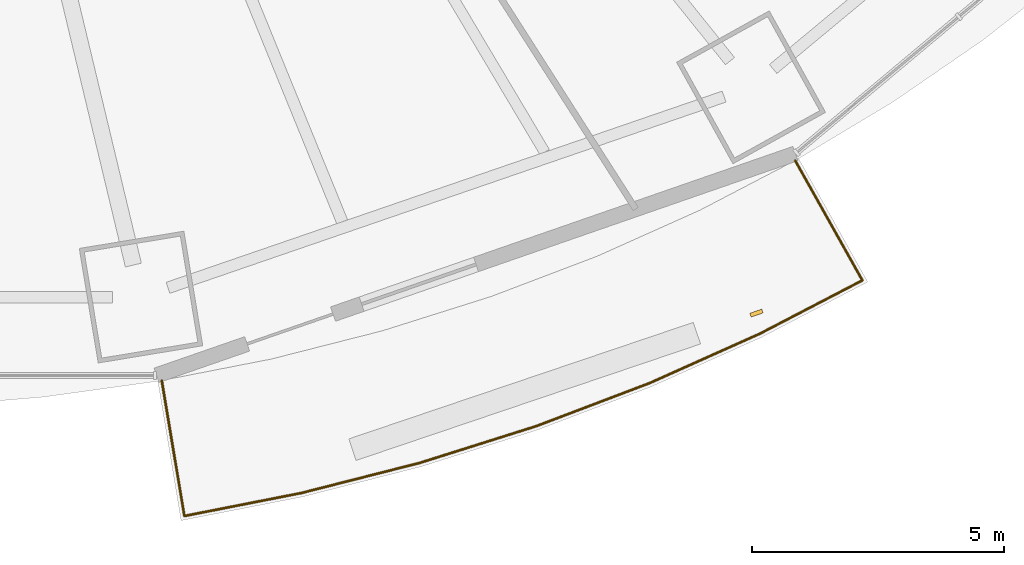
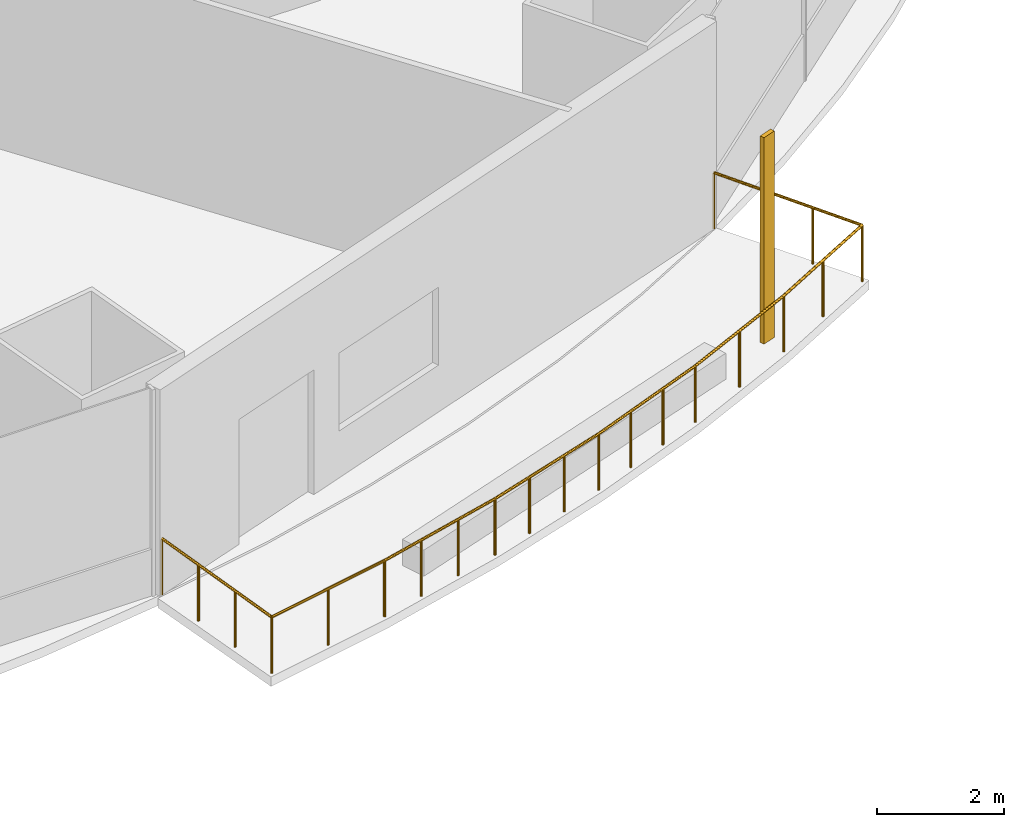
# One storey, part 18 of 22: 1 railing, 1 shading device.
"""IFC4 building model written with IfcOpenShell, lengths in metres."""

from ifc_helpers import new_model, si_unit, direction, frame, origin, origin_2d, place, context, subcontext, project, spatial, rectangle, circle, extrude, material, material_profile, profile_set, type_object, element, save


model = new_model("IFC4")

# Units and contexts
model_context = context("Model", 3, precision=1e-05, world=origin(), true_north=direction((0.0, 1.0)))
body_context = subcontext(model_context, "Body", "Model", "MODEL_VIEW")
ifc_project = project(units=[si_unit("LENGTHUNIT", "METRE"), si_unit("AREAUNIT", "SQUARE_METRE"), si_unit("VOLUMEUNIT", "CUBIC_METRE"), si_unit("PLANEANGLEUNIT", "RADIAN"), si_unit("MASSUNIT", "GRAM", prefix="KILO")], contexts=[model_context])

# Site, building, storey
site_placement = place(None, origin())
site = spatial("IfcSite", under=ifc_project, at=site_placement, CompositionType="ELEMENT")
building_placement = place(site_placement, origin())
building = spatial("IfcBuilding", under=site, at=building_placement, Name="Marenthal Gate Tower", CompositionType="ELEMENT")
storey_placement = place(building_placement, frame((0.0, 0.0, 91.10009765625)))
storey = spatial("IfcBuildingStorey", under=building, at=storey_placement, Name="L18", CompositionType="ELEMENT", Elevation=91.10009765625)

# Railing
ifc_material_1 = material(Name="Stainless steel", Category="steel")
railing_type = type_object("IfcRailingType", Name="Balcony guard 1100", PredefinedType="GUARDRAIL", material=ifc_material_1)
railing_placement = place(storey_placement, frame((19.50341796875, -24.59912109375, 0.0)))
element("IfcRailing", 1, at=railing_placement, inside=storey, type_object=railing_type, Name="Balcony guard L18 bay 13", PredefinedType="GUARDRAIL", context=body_context, shape_type="SweptSolid", body=[
    extrude(circle(Radius=0.02392578125, at=origin_2d()), frame((0.0, 0.0, 1.076171875), z_axis=(0.489023148101, -0.872146623829, -0.01471825955), x_axis=(0.872241104505, 0.489076124557, 0.0)), (0.0, 0.0, 1.0), 2.720458984375),
    extrude(circle(Radius=0.02392578125, at=origin_2d()), frame((1.330322265625, -2.37255859375, 1.0361328125), z_axis=(-0.887216801235, -0.461352736642, 0.0), x_axis=(0.461352736642, -0.887216801235, 0.0)), (0.0, 0.0, 1.0), 2.290771484375),
    extrude(circle(Radius=0.02392578125, at=origin_2d()), frame((-0.7021484375, -3.429443359375, 1.0361328125), z_axis=(-0.912542222384, -0.408982508631, 0.0), x_axis=(0.408982508631, -0.912542222384, 0.0)), (0.0, 0.0, 1.0), 2.3876953125),
    extrude(circle(Radius=0.02392578125, at=origin_2d()), frame((-2.881103515625, -4.406005859375, 1.0361328125), z_axis=(-0.934801116304, -0.355171610573, 0.0), x_axis=(0.355171610573, -0.934801116304, 0.0)), (0.0, 0.0, 1.0), 2.40380859375),
    extrude(circle(Radius=0.02392578125, at=origin_2d()), frame((-5.128173828125, -5.259765625, 1.0361328125), z_axis=(-0.953649791478, -0.300918718616, 0.0), x_axis=(0.300918718616, -0.953649791478, 0.0)), (0.0, 0.0, 1.0), 2.417724609375),
    extrude(circle(Radius=0.02392578125, at=origin_2d()), frame((-7.433837890625, -5.9873046875, 1.0361328125), z_axis=(-0.969141273658, -0.246505966848, 0.0), x_axis=(0.246505966848, -0.969141273658, 0.0)), (0.0, 0.0, 1.0), 2.429443359375),
    extrude(circle(Radius=0.02392578125, at=origin_2d()), frame((-9.788330078125, -6.586181640625, 1.0361328125), z_axis=(-0.981243578155, -0.19277199052, 0.0), x_axis=(0.19277199052, -0.981243578155, 0.0)), (0.0, 0.0, 1.0), 2.359375),
    extrude(circle(Radius=0.02392578125, at=origin_2d()), frame((-12.103515625, -7.041015625, 1.0361328125), z_axis=(-0.164599482451, 0.986250661205, 0.014718819587), x_axis=(-0.986357511038, -0.164617315064, 0.0)), (0.0, 0.0, 1.0), 2.72021484375),
    extrude(circle(Radius=0.02099609375, at=origin_2d()), origin(), (0.0, 0.0, 1.0), 1.052001953125),
    extrude(circle(Radius=0.02099609375, at=origin_2d()), frame((0.443359375, -0.790771484375, -0.013427734375)), (0.0, 0.0, 1.0), 1.052001953125),
    extrude(circle(Radius=0.02099609375, at=origin_2d()), frame((0.886962890625, -1.581787109375, -0.026611328125)), (0.0, 0.0, 1.0), 1.052001953125),
    extrude(circle(Radius=0.02099609375, at=origin_2d()), frame((1.330322265625, -2.37255859375, -0.0400390625)), (0.0, 0.0, 1.0), 1.052001953125),
    extrude(circle(Radius=0.02099609375, at=origin_2d()), frame((0.31396484375, -2.90087890625, -0.0400390625)), (0.0, 0.0, 1.0), 1.052001953125),
    extrude(circle(Radius=0.02099609375, at=origin_2d()), frame((-0.7021484375, -3.429443359375, -0.0400390625)), (0.0, 0.0, 1.0), 1.052001953125),
    extrude(circle(Radius=0.02099609375, at=origin_2d()), frame((-1.79150390625, -3.917724609375, -0.0400390625)), (0.0, 0.0, 1.0), 1.052001953125),
    extrude(circle(Radius=0.02099609375, at=origin_2d()), frame((-2.881103515625, -4.406005859375, -0.0400390625)), (0.0, 0.0, 1.0), 1.052001953125),
    extrude(circle(Radius=0.02099609375, at=origin_2d()), frame((-3.630126953125, -4.690673828125, -0.0400390625)), (0.0, 0.0, 1.0), 1.052001953125),
    extrude(circle(Radius=0.02099609375, at=origin_2d()), frame((-4.379150390625, -4.97509765625, -0.0400390625)), (0.0, 0.0, 1.0), 1.052001953125),
    extrude(circle(Radius=0.02099609375, at=origin_2d()), frame((-5.128173828125, -5.259765625, -0.0400390625)), (0.0, 0.0, 1.0), 1.052001953125),
    extrude(circle(Radius=0.02099609375, at=origin_2d()), frame((-5.896728515625, -5.502197265625, -0.0400390625)), (0.0, 0.0, 1.0), 1.052001953125),
    extrude(circle(Radius=0.02099609375, at=origin_2d()), frame((-6.665283203125, -5.744873046875, -0.0400390625)), (0.0, 0.0, 1.0), 1.052001953125),
    extrude(circle(Radius=0.02099609375, at=origin_2d()), frame((-7.433837890625, -5.9873046875, -0.0400390625)), (0.0, 0.0, 1.0), 1.052001953125),
    extrude(circle(Radius=0.02099609375, at=origin_2d()), frame((-8.21875, -6.18701171875, -0.0400390625)), (0.0, 0.0, 1.0), 1.052001953125),
    extrude(circle(Radius=0.02099609375, at=origin_2d()), frame((-9.00341796875, -6.386474609375, -0.0400390625)), (0.0, 0.0, 1.0), 1.052001953125),
    extrude(circle(Radius=0.02099609375, at=origin_2d()), frame((-9.788330078125, -6.586181640625, -0.0400390625)), (0.0, 0.0, 1.0), 1.052001953125),
    extrude(circle(Radius=0.02099609375, at=origin_2d()), frame((-10.94580078125, -6.8134765625, -0.0400390625)), (0.0, 0.0, 1.0), 1.052001953125),
    extrude(circle(Radius=0.02099609375, at=origin_2d()), frame((-12.103515625, -7.041015625, -0.0400390625)), (0.0, 0.0, 1.0), 1.052001953125),
    extrude(circle(Radius=0.02099609375, at=origin_2d()), frame((-12.252685546875, -6.146728515625, -0.026611328125)), (0.0, 0.0, 1.0), 1.052001953125),
    extrude(circle(Radius=0.02099609375, at=origin_2d()), frame((-12.402099609375, -5.25244140625, -0.013427734375)), (0.0, 0.0, 1.0), 1.052001953125),
    extrude(circle(Radius=0.02099609375, at=origin_2d()), frame((-12.55126953125, -4.358154296875, 0.0)), (0.0, 0.0, 1.0), 1.052001953125),
])

# Shading device
ifc_material_2 = material(Name="Terracotta", Category="masonry")
ifc_material_profile = material_profile(ifc_material_2, rectangle(XDim=0.25, YDim=0.080078125, at=origin_2d()), Name="Terracotta baguette 250x80")
ifc_profile_set = profile_set([ifc_material_profile], Name="Terracotta")
shading_device_type = type_object("IfcShadingDeviceType", Name="Terracotta BAGUETTE SCREEN 250x80", PredefinedType="USERDEFINED", material=ifc_profile_set)
shading_device_placement = place(storey_placement, frame((18.7353515625, -27.6201171875, -0.0400390625), z_axis=(0.0, 0.0, 1.0), x_axis=(0.944634232614, 0.328125230017, 0.0)))
element("IfcShadingDevice", 2, at=shading_device_placement, inside=storey, type_object=shading_device_type, Name="Terracotta BAGUETTE L18 bay 13R", ObjectType="BAGUETTE SCREEN", PredefinedType="USERDEFINED", context=body_context, shape_type="SweptSolid", body=[
    extrude(rectangle(XDim=0.25, YDim=0.080078125, at=origin_2d()), origin(), (0.0, 0.0, 1.0), 3.969970703125),
])

save(model, "model.ifc")
